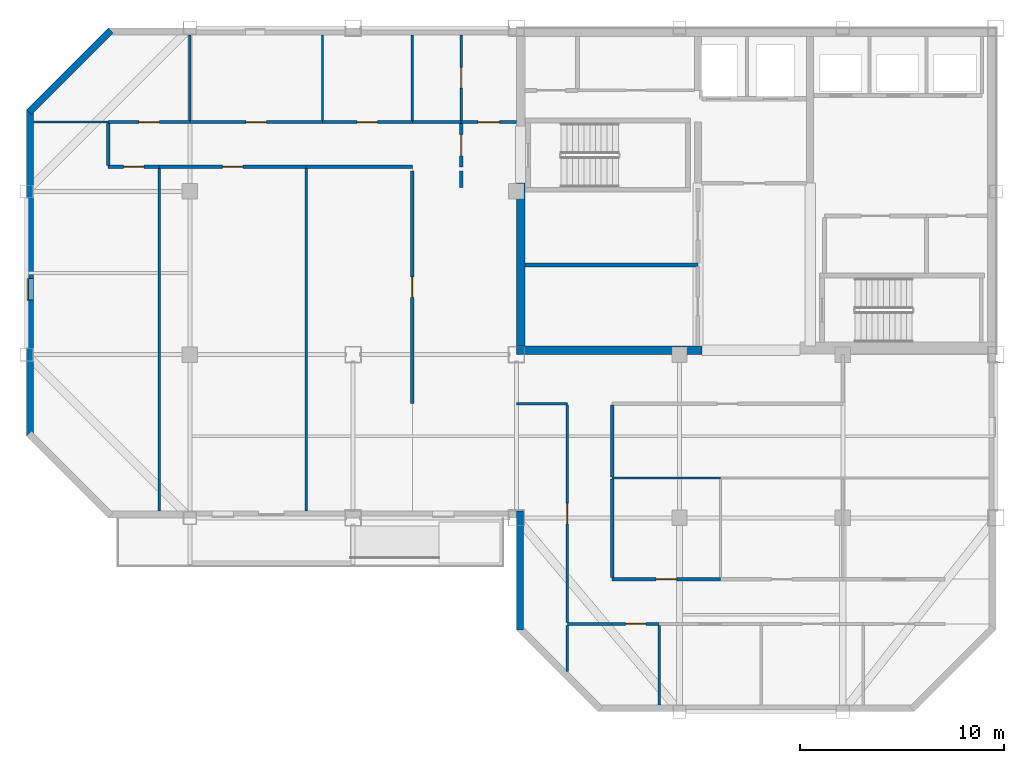
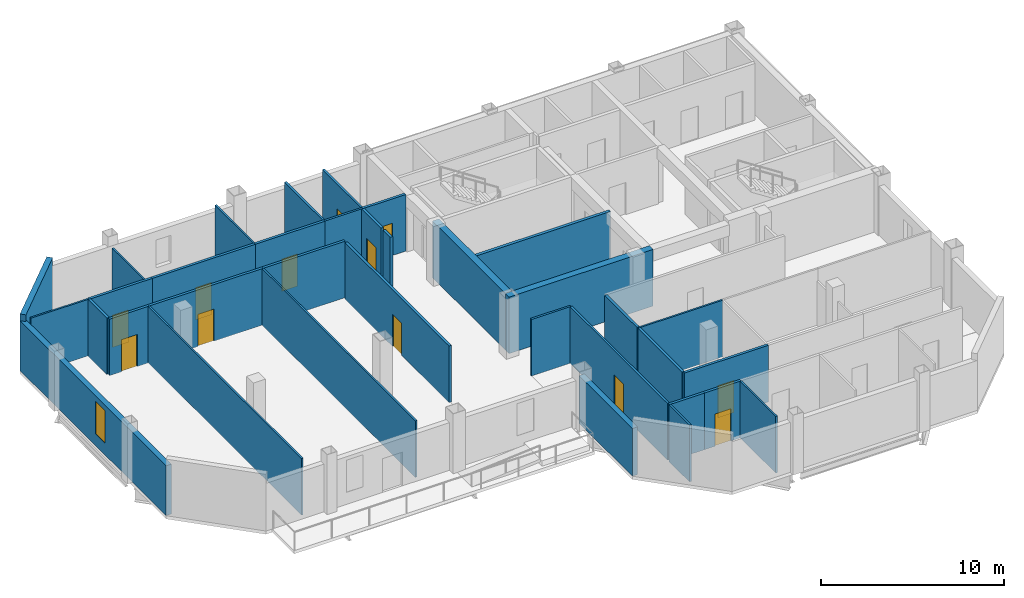
# One storey, part 2 of 7: 35 walls, 12 doors, 1 window, 13 openings.
"""IFC4 building model written with IfcOpenShell, lengths in metres."""

from ifc_helpers import new_model, si_unit, direction, frame, frame_2d, origin, place, context, subcontext, project, spatial, rectangle, extrude, material, layer, layer_set, type_object, element, fill, save


model = new_model("IFC4")

# Units and contexts
model_context = context("Model", 3, precision=1e-05, world=origin(), true_north=direction((0.0, 1.0)))
body_context = subcontext(model_context, "Body", "Model", "MODEL_VIEW")
ifc_project = project(units=[si_unit("LENGTHUNIT", "METRE"), si_unit("AREAUNIT", "SQUARE_METRE"), si_unit("VOLUMEUNIT", "CUBIC_METRE"), si_unit("PLANEANGLEUNIT", "RADIAN"), si_unit("MASSUNIT", "GRAM", prefix="KILO")], contexts=[model_context])

# Site, building, storey
site_placement = place(None, origin())
site = spatial("IfcSite", under=ifc_project, at=site_placement, CompositionType="ELEMENT")
building_placement = place(site_placement, origin())
building = spatial("IfcBuilding", under=site, at=building_placement, Name="Qianrong Seaharbour Tower", CompositionType="ELEMENT")
storey_placement = place(building_placement, frame((0.0, 0.0, 359.199951171875)))
storey = spatial("IfcBuildingStorey", under=building, at=storey_placement, Name="L87", CompositionType="ELEMENT", Elevation=359.199951171875)

# Walls
ifc_material_1 = material(Name="Concrete C50/60", Category="concrete")
ifc_layer_1 = layer(ifc_material_1, 0.419921875)
ifc_layer_set_1 = layer_set([ifc_layer_1], Name="Concrete C50/60")
wall_type_1 = type_object("IfcWallType", Name="WALL-CORE-420", PredefinedType="SHEAR", material=ifc_layer_set_1)
wall_1_placement = place(storey_placement, frame((40.7099609375, 36.419921875, 0.0), z_axis=(0.0, 0.0, 1.0), x_axis=(0.0, 1.0, 0.0)))
element("IfcWall", 1, at=wall_1_placement, inside=storey, type_object=wall_type_1, Name="L87 West Core Shear Wall South", PredefinedType="SHEAR", context=body_context, shape_type="SweptSolid", body=[
    extrude(rectangle(XDim=7.97998046875, YDim=0.419921875, at=frame_2d((3.989990234375, 0.0))), origin(), (0.0, 0.0, 1.0), 3.78515625),
])
wall_2_placement = place(storey_placement, frame((40.5, 36.2099609375, 0.0), z_axis=(0.0, 0.0, 1.0), x_axis=(1.0, 0.0, 0.0)))
element("IfcWall", 2, at=wall_2_placement, inside=storey, type_object=wall_type_1, Name="L87 South Core Shear Wall S1", PredefinedType="SHEAR", context=body_context, shape_type="SweptSolid", body=[
    extrude(rectangle(XDim=9.10009765625, YDim=0.419921875, at=frame_2d((4.550048828125, 0.0))), origin(), (0.0, 0.0, 1.0), 3.78515625),
])

# Wall, opening, door
ifc_material_2 = material(Name="Fire-rated acoustic gypsum board partition")
ifc_layer_2 = layer(ifc_material_2, 0.1650390625)
ifc_layer_set_2 = layer_set([ifc_layer_2], Name="Fire-rated acoustic gypsum board partition")
wall_type_2 = type_object("IfcWallType", Name="WALL-CORR-PART-165", PredefinedType="PARTITIONING", material=ifc_layer_set_2)
wall_3_placement = place(storey_placement, frame((37.800048828125, 47.39990234375, 0.0), z_axis=(0.0, 0.0, 1.0), x_axis=(1.0, 0.0, 0.0)))
wall_3 = element("IfcWall", 3, at=wall_3_placement, inside=storey, type_object=wall_type_2, Name="L87 Interior Partition Wall 001", PredefinedType="PARTITIONING", context=body_context, shape_type="SweptSolid", body=[
    extrude(rectangle(XDim=2.699951171875, YDim=0.1650390625, at=frame_2d((1.35009765625, 0.0))), origin(), (0.0, 0.0, 1.0), 3.78515625),
])
opening_1_placement = place(wall_3_placement, frame((0.824951171875, 0.0, 0.0)))
opening_1 = element("IfcOpeningElement", 4, at=opening_1_placement, cuts=wall_3, Name="Opening DC-01", PredefinedType="OPENING", context=body_context, shape_type="SweptSolid", body=[
    extrude(rectangle(XDim=1.050048828125, YDim=2.14990234375, at=frame_2d((0.52490234375, 1.074951171875))), frame((0.0, 0.092529296875, 0.0), z_axis=(0.0, -1.0, 0.0), x_axis=(1.0, 0.0, 0.0)), (0.0, 0.0, 1.0), 0.18505859375),
])
ifc_material_3 = material(Name="Acoustic timber and galvanized steel fire door assembly", Category="steel")
door_type_1 = type_object("IfcDoorType", Name="DOOR-CORR-FD60-1050x2150", OperationType="NOTDEFINED", PredefinedType="DOOR", material=ifc_material_3)
door_1_placement = place(opening_1_placement, origin())
door_1 = element("IfcDoor", 5, at=door_1_placement, inside=storey, type_object=door_type_1, Name="L87 Smokeproof Stair Vestibule ST-1 Door", OperationType="SINGLE_SWING_RIGHT", OverallHeight=2.14990234375, OverallWidth=1.050048828125, PredefinedType="DOOR", context=body_context, shape_type="SweptSolid", body=[
    extrude(rectangle(XDim=1.050048828125, YDim=2.14990234375, at=frame_2d((0.52490234375, 1.074951171875))), frame((0.0, 0.02490234375, 0.0), z_axis=(0.0, -1.0, 0.0), x_axis=(1.0, 0.0, 0.0)), (0.0, 0.0, 1.0), 0.050048828125),
])
fill(opening_1, door_1)

wall_4_placement = place(storey_placement, frame((37.800048828125, 45.199951171875, 0.0), z_axis=(0.0, 0.0, 1.0), x_axis=(0.0, 1.0, 0.0)))
wall_4 = element("IfcWall", 6, at=wall_4_placement, inside=storey, type_object=wall_type_2, Name="L87 Interior Partition Wall 002", PredefinedType="PARTITIONING", context=body_context, shape_type="SweptSolid", body=[
    extrude(rectangle(XDim=2.12548828125, YDim=0.1650390625, at=frame_2d((1.062744140625, 0.0))), origin(), (0.0, 0.0, 1.0), 3.78515625),
])
opening_2_placement = place(wall_4_placement, frame((0.537841796875, 0.0, 0.0)))
opening_2 = element("IfcOpeningElement", 7, at=opening_2_placement, cuts=wall_4, Name="Opening DC-01", PredefinedType="OPENING", context=body_context, shape_type="SweptSolid", body=[
    extrude(rectangle(XDim=1.050048828125, YDim=2.14990234375, at=frame_2d((0.52490234375, 1.074951171875))), frame((0.0, 0.092529296875, 0.0), z_axis=(0.0, -1.0, 0.0), x_axis=(1.0, 0.0, 0.0)), (0.0, 0.0, 1.0), 0.18505859375),
])
door_2_placement = place(opening_2_placement, origin())
door_2 = element("IfcDoor", 8, at=door_2_placement, inside=storey, type_object=door_type_1, Name="L87 Smokeproof Stair Vestibule ST-1 Door", OperationType="SINGLE_SWING_LEFT", OverallHeight=2.14990234375, OverallWidth=1.050048828125, PredefinedType="DOOR", context=body_context, shape_type="SweptSolid", body=[
    extrude(rectangle(XDim=1.050048828125, YDim=2.14990234375, at=frame_2d((0.52490234375, 1.074951171875))), frame((0.0, 0.02490234375, 0.0), z_axis=(0.0, -1.0, 0.0), x_axis=(1.0, 0.0, 0.0)), (0.0, 0.0, 1.0), 0.050048828125),
])
fill(opening_2, door_2)

# Wall
wall_5_placement = place(storey_placement, frame((37.800048828125, 44.199951171875, 0.0), z_axis=(0.0, 0.0, 1.0), x_axis=(0.0, 1.0, 0.0)))
element("IfcWall", 9, at=wall_5_placement, inside=storey, type_object=wall_type_2, Name="L87 Interior Partition Wall 003", PredefinedType="PARTITIONING", context=body_context, shape_type="SweptSolid", body=[
    extrude(rectangle(XDim=0.800048828125, YDim=0.1650390625, at=frame_2d((0.39990234375, 0.0))), origin(), (0.0, 0.0, 1.0), 3.78515625),
])

# Wall, opening, door
wall_6_placement = place(storey_placement, frame((20.5, 47.39990234375, 0.0), z_axis=(0.0, 0.0, 1.0), x_axis=(1.0, 0.0, 0.0)))
wall_6 = element("IfcWall", 10, at=wall_6_placement, inside=storey, type_object=wall_type_2, Name="L87 Interior Partition Wall 018", PredefinedType="PARTITIONING", context=body_context, shape_type="SweptSolid", body=[
    extrude(rectangle(XDim=4.0, YDim=0.1650390625, at=frame_2d((2.0, 0.0))), origin(), (0.0, 0.0, 1.0), 3.78515625),
])
opening_3_placement = place(wall_6_placement, frame((1.5, 0.0, 0.0)))
opening_3 = element("IfcOpeningElement", 11, at=opening_3_placement, cuts=wall_6, Name="Opening DO-01", PredefinedType="OPENING", context=body_context, shape_type="SweptSolid", body=[
    extrude(rectangle(XDim=1.0, YDim=2.14990234375, at=frame_2d((0.5, 1.074951171875))), frame((0.0, 0.092529296875, 0.0), z_axis=(0.0, -1.0, 0.0), x_axis=(1.0, 0.0, 0.0)), (0.0, 0.0, 1.0), 0.18505859375),
])
door_type_2 = type_object("IfcDoorType", Name="DOOR-OFFICE-1000x2150", OperationType="NOTDEFINED", PredefinedType="DOOR", material=ifc_material_3)
door_3_placement = place(opening_3_placement, origin())
door_3 = element("IfcDoor", 12, at=door_3_placement, inside=storey, type_object=door_type_2, Name="L87 Vessel Model Showroom 1 Door", OperationType="SINGLE_SWING_LEFT", OverallHeight=2.14990234375, OverallWidth=1.0, PredefinedType="DOOR", context=body_context, shape_type="SweptSolid", body=[
    extrude(rectangle(XDim=1.0, YDim=2.14990234375, at=frame_2d((0.5, 1.074951171875))), frame((0.0, 0.02490234375, 0.0), z_axis=(0.0, -1.0, 0.0), x_axis=(1.0, 0.0, 0.0)), (0.0, 0.0, 1.0), 0.050048828125),
])
fill(opening_3, door_3)

wall_7_placement = place(storey_placement, frame((24.5, 47.39990234375, 0.0), z_axis=(0.0, 0.0, 1.0), x_axis=(1.0, 0.0, 0.0)))
wall_7 = element("IfcWall", 13, at=wall_7_placement, inside=storey, type_object=wall_type_2, Name="L87 Interior Partition Wall 019", PredefinedType="PARTITIONING", context=body_context, shape_type="SweptSolid", body=[
    extrude(rectangle(XDim=6.5, YDim=0.1650390625, at=frame_2d((3.25, 0.0))), origin(), (0.0, 0.0, 1.0), 3.78515625),
])
opening_4_placement = place(wall_7_placement, frame((2.75, 0.0, 0.0)))
opening_4 = element("IfcOpeningElement", 14, at=opening_4_placement, cuts=wall_7, Name="Opening DO-01", PredefinedType="OPENING", context=body_context, shape_type="SweptSolid", body=[
    extrude(rectangle(XDim=1.0, YDim=2.14990234375, at=frame_2d((0.5, 1.074951171875))), frame((0.0, 0.092529296875, 0.0), z_axis=(0.0, -1.0, 0.0), x_axis=(1.0, 0.0, 0.0)), (0.0, 0.0, 1.0), 0.18505859375),
])
door_4_placement = place(opening_4_placement, origin())
door_4 = element("IfcDoor", 15, at=door_4_placement, inside=storey, type_object=door_type_2, Name="L87 Navigation Systems Showroom 2 Door", OperationType="SINGLE_SWING_RIGHT", OverallHeight=2.14990234375, OverallWidth=1.0, PredefinedType="DOOR", context=body_context, shape_type="SweptSolid", body=[
    extrude(rectangle(XDim=1.0, YDim=2.14990234375, at=frame_2d((0.5, 1.074951171875))), frame((0.0, 0.02490234375, 0.0), z_axis=(0.0, -1.0, 0.0), x_axis=(1.0, 0.0, 0.0)), (0.0, 0.0, 1.0), 0.050048828125),
])
fill(opening_4, door_4)

wall_8_placement = place(storey_placement, frame((31.0, 47.39990234375, 0.0), z_axis=(0.0, 0.0, 1.0), x_axis=(1.0, 0.0, 0.0)))
wall_8 = element("IfcWall", 16, at=wall_8_placement, inside=storey, type_object=wall_type_2, Name="L87 Interior Partition Wall 020", PredefinedType="PARTITIONING", context=body_context, shape_type="SweptSolid", body=[
    extrude(rectangle(XDim=4.39990234375, YDim=0.1650390625, at=frame_2d((2.199951171875, 0.0))), origin(), (0.0, 0.0, 1.0), 3.78515625),
])
opening_5_placement = place(wall_8_placement, frame((1.699951171875, 0.0, 0.0)))
opening_5 = element("IfcOpeningElement", 17, at=opening_5_placement, cuts=wall_8, Name="Opening DO-01", PredefinedType="OPENING", context=body_context, shape_type="SweptSolid", body=[
    extrude(rectangle(XDim=1.0, YDim=2.14990234375, at=frame_2d((0.5, 1.074951171875))), frame((0.0, 0.092529296875, 0.0), z_axis=(0.0, -1.0, 0.0), x_axis=(1.0, 0.0, 0.0)), (0.0, 0.0, 1.0), 0.18505859375),
])
door_5_placement = place(opening_5_placement, origin())
door_5 = element("IfcDoor", 18, at=door_5_placement, inside=storey, type_object=door_type_2, Name="L87 Marine Propulsion Showroom 3 Door", OperationType="SINGLE_SWING_LEFT", OverallHeight=2.14990234375, OverallWidth=1.0, PredefinedType="DOOR", context=body_context, shape_type="SweptSolid", body=[
    extrude(rectangle(XDim=1.0, YDim=2.14990234375, at=frame_2d((0.5, 1.074951171875))), frame((0.0, 0.02490234375, 0.0), z_axis=(0.0, -1.0, 0.0), x_axis=(1.0, 0.0, 0.0)), (0.0, 0.0, 1.0), 0.050048828125),
])
fill(opening_5, door_5)

wall_9_placement = place(storey_placement, frame((23.0, 45.199951171875, 0.0), z_axis=(0.0, 0.0, 1.0), x_axis=(-1.0, 0.0, 0.0)))
wall_9 = element("IfcWall", 19, at=wall_9_placement, inside=storey, type_object=wall_type_2, Name="L87 Interior Partition Wall 021", PredefinedType="PARTITIONING", context=body_context, shape_type="SweptSolid", body=[
    extrude(rectangle(XDim=2.5, YDim=0.1650390625, at=frame_2d((1.25, 0.0))), origin(), (0.0, 0.0, 1.0), 3.78515625),
])
opening_6_placement = place(wall_9_placement, frame((0.75, 0.0, 0.0)))
opening_6 = element("IfcOpeningElement", 20, at=opening_6_placement, cuts=wall_9, Name="Opening DO-01", PredefinedType="OPENING", context=body_context, shape_type="SweptSolid", body=[
    extrude(rectangle(XDim=1.0, YDim=2.14990234375, at=frame_2d((0.5, 1.074951171875))), frame((0.0, 0.092529296875, 0.0), z_axis=(0.0, -1.0, 0.0), x_axis=(1.0, 0.0, 0.0)), (0.0, 0.0, 1.0), 0.18505859375),
])
door_6_placement = place(opening_6_placement, origin())
door_6 = element("IfcDoor", 21, at=door_6_placement, inside=storey, type_object=door_type_2, Name="L87 Cargo Systems Showroom 1 Door", OperationType="SINGLE_SWING_RIGHT", OverallHeight=2.14990234375, OverallWidth=1.0, PredefinedType="DOOR", context=body_context, shape_type="SweptSolid", body=[
    extrude(rectangle(XDim=1.0, YDim=2.14990234375, at=frame_2d((0.5, 1.074951171875))), frame((0.0, 0.02490234375, 0.0), z_axis=(0.0, -1.0, 0.0), x_axis=(1.0, 0.0, 0.0)), (0.0, 0.0, 1.0), 0.050048828125),
])
fill(opening_6, door_6)

# Wall
wall_10_placement = place(storey_placement, frame((20.5, 45.2744140625, 0.0), z_axis=(0.0, 0.0, 1.0), x_axis=(0.0, 1.0, 0.0)))
element("IfcWall", 22, at=wall_10_placement, inside=storey, type_object=wall_type_2, Name="L87 Interior Partition Wall 022", PredefinedType="PARTITIONING", context=body_context, shape_type="SweptSolid", body=[
    extrude(rectangle(XDim=2.051025390625, YDim=0.1650390625, at=frame_2d((1.025390625, 0.0))), origin(), (0.0, 0.0, 1.0), 3.78515625),
])

# Wall, opening, door
wall_11_placement = place(storey_placement, frame((30.199951171875, 45.199951171875, 0.0), z_axis=(0.0, 0.0, 1.0), x_axis=(-1.0, 0.0, 0.0)))
wall_11 = element("IfcWall", 23, at=wall_11_placement, inside=storey, type_object=wall_type_2, Name="L87 Interior Partition Wall 023", PredefinedType="PARTITIONING", context=body_context, shape_type="SweptSolid", body=[
    extrude(rectangle(XDim=7.199951171875, YDim=0.1650390625, at=frame_2d((3.60009765625, 0.0))), origin(), (0.0, 0.0, 1.0), 3.78515625),
])
opening_7_placement = place(wall_11_placement, frame((3.10009765625, 0.0, 0.0)))
opening_7 = element("IfcOpeningElement", 24, at=opening_7_placement, cuts=wall_11, Name="Opening DO-01", PredefinedType="OPENING", context=body_context, shape_type="SweptSolid", body=[
    extrude(rectangle(XDim=1.0, YDim=2.14990234375, at=frame_2d((0.5, 1.074951171875))), frame((0.0, 0.092529296875, 0.0), z_axis=(0.0, -1.0, 0.0), x_axis=(1.0, 0.0, 0.0)), (0.0, 0.0, 1.0), 0.18505859375),
])
door_7_placement = place(opening_7_placement, origin())
door_7 = element("IfcDoor", 25, at=door_7_placement, inside=storey, type_object=door_type_2, Name="L87 Fleet Logistics Showroom 2 Door", OperationType="SINGLE_SWING_LEFT", OverallHeight=2.14990234375, OverallWidth=1.0, PredefinedType="DOOR", context=body_context, shape_type="SweptSolid", body=[
    extrude(rectangle(XDim=1.0, YDim=2.14990234375, at=frame_2d((0.5, 1.074951171875))), frame((0.0, 0.02490234375, 0.0), z_axis=(0.0, -1.0, 0.0), x_axis=(1.0, 0.0, 0.0)), (0.0, 0.0, 1.0), 0.050048828125),
])
fill(opening_7, door_7)

# Wall
wall_12_placement = place(storey_placement, frame((35.39990234375, 45.199951171875, 0.0), z_axis=(0.0, 0.0, 1.0), x_axis=(-1.0, 0.0, 0.0)))
element("IfcWall", 26, at=wall_12_placement, inside=storey, type_object=wall_type_2, Name="L87 Interior Partition Wall 024", PredefinedType="PARTITIONING", context=body_context, shape_type="SweptSolid", body=[
    extrude(rectangle(XDim=5.199951171875, YDim=0.1650390625, at=frame_2d((2.60009765625, 0.0))), origin(), (0.0, 0.0, 1.0), 3.78515625),
])

# Wall, opening, door
wall_13_placement = place(storey_placement, frame((35.39990234375, 33.60009765625, 0.0), z_axis=(0.0, 0.0, 1.0), x_axis=(0.0, 1.0, 0.0)))
wall_13 = element("IfcWall", 27, at=wall_13_placement, inside=storey, type_object=wall_type_2, Name="L87 Interior Partition Wall 025", PredefinedType="PARTITIONING", context=body_context, shape_type="SweptSolid", body=[
    extrude(rectangle(XDim=11.39990234375, YDim=0.1650390625, at=frame_2d((5.699951171875, 0.0))), origin(), (0.0, 0.0, 1.0), 3.78515625),
])
opening_8_placement = place(wall_13_placement, frame((5.199951171875, 0.0, 0.0)))
opening_8 = element("IfcOpeningElement", 28, at=opening_8_placement, cuts=wall_13, Name="Opening DO-01", PredefinedType="OPENING", context=body_context, shape_type="SweptSolid", body=[
    extrude(rectangle(XDim=1.0, YDim=2.14990234375, at=frame_2d((0.5, 1.074951171875))), frame((0.0, 0.092529296875, 0.0), z_axis=(0.0, -1.0, 0.0), x_axis=(1.0, 0.0, 0.0)), (0.0, 0.0, 1.0), 0.18505859375),
])
door_8_placement = place(opening_8_placement, origin())
door_8 = element("IfcDoor", 29, at=door_8_placement, inside=storey, type_object=door_type_2, Name="L87 VIP Client Lounge 3 Door", OperationType="SINGLE_SWING_RIGHT", OverallHeight=2.14990234375, OverallWidth=1.0, PredefinedType="DOOR", context=body_context, shape_type="SweptSolid", body=[
    extrude(rectangle(XDim=1.0, YDim=2.14990234375, at=frame_2d((0.5, 1.074951171875))), frame((0.0, 0.02490234375, 0.0), z_axis=(0.0, -1.0, 0.0), x_axis=(1.0, 0.0, 0.0)), (0.0, 0.0, 1.0), 0.050048828125),
])
fill(opening_8, door_8)

# Walls
wall_14_placement = place(storey_placement, frame((45.199951171875, 33.525390625, 0.0), z_axis=(0.0, 0.0, 1.0), x_axis=(0.0, -1.0, 0.0)))
element("IfcWall", 30, at=wall_14_placement, inside=storey, type_object=wall_type_2, Name="L87 Interior Partition Wall 029", PredefinedType="PARTITIONING", context=body_context, shape_type="SweptSolid", body=[
    extrude(rectangle(XDim=3.5283203125, YDim=0.1650390625, at=frame_2d((1.76416015625, 0.0))), origin(), (0.0, 0.0, 1.0), 3.78515625),
])
wall_15_placement = place(storey_placement, frame((45.199951171875, 29.903076171875, 0.0), z_axis=(0.0, 0.0, 1.0), x_axis=(0.0, -1.0, 0.0)))
element("IfcWall", 31, at=wall_15_placement, inside=storey, type_object=wall_type_2, Name="L87 Interior Partition Wall 030", PredefinedType="PARTITIONING", context=body_context, shape_type="SweptSolid", body=[
    extrude(rectangle(XDim=4.82861328125, YDim=0.1650390625, at=frame_2d((2.414306640625, 0.0))), origin(), (0.0, 0.0, 1.0), 3.78515625),
])
wall_16_placement = place(storey_placement, frame((45.199951171875, 22.800048828125, 0.0), z_axis=(0.0, 0.0, 1.0), x_axis=(-1.0, 0.0, 0.0)))
element("IfcWall", 32, at=wall_16_placement, inside=storey, type_object=wall_type_2, Name="L87 Interior Partition Wall 032", PredefinedType="PARTITIONING", context=body_context, shape_type="SweptSolid", body=[
    extrude(rectangle(XDim=2.199951171875, YDim=0.1650390625, at=frame_2d((1.10009765625, 0.0))), origin(), (0.0, 0.0, 1.0), 3.78515625),
])

# Wall, opening, door
wall_17_placement = place(storey_placement, frame((45.199951171875, 25.0, 0.0), z_axis=(0.0, 0.0, 1.0), x_axis=(1.0, 0.0, 0.0)))
wall_17 = element("IfcWall", 33, at=wall_17_placement, inside=storey, type_object=wall_type_2, Name="L87 Interior Partition Wall 033", PredefinedType="PARTITIONING", context=body_context, shape_type="SweptSolid", body=[
    extrude(rectangle(XDim=5.300048828125, YDim=0.1650390625, at=frame_2d((2.64990234375, 0.0))), origin(), (0.0, 0.0, 1.0), 3.78515625),
])
opening_9_placement = place(wall_17_placement, frame((2.14990234375, 0.0, 0.0)))
opening_9 = element("IfcOpeningElement", 34, at=opening_9_placement, cuts=wall_17, Name="Opening DO-01", PredefinedType="OPENING", context=body_context, shape_type="SweptSolid", body=[
    extrude(rectangle(XDim=1.0, YDim=2.14990234375, at=frame_2d((0.5, 1.074951171875))), frame((0.0, 0.092529296875, 0.0), z_axis=(0.0, -1.0, 0.0), x_axis=(1.0, 0.0, 0.0)), (0.0, 0.0, 1.0), 0.18505859375),
])
door_9_placement = place(opening_9_placement, origin())
door_9 = element("IfcDoor", 35, at=door_9_placement, inside=storey, type_object=door_type_2, Name="L87 Chartering Model Showroom 1 Door", OperationType="SINGLE_SWING_RIGHT", OverallHeight=2.14990234375, OverallWidth=1.0, PredefinedType="DOOR", context=body_context, shape_type="SweptSolid", body=[
    extrude(rectangle(XDim=1.0, YDim=2.14990234375, at=frame_2d((0.5, 1.074951171875))), frame((0.0, 0.02490234375, 0.0), z_axis=(0.0, -1.0, 0.0), x_axis=(1.0, 0.0, 0.0)), (0.0, 0.0, 1.0), 0.050048828125),
])
fill(opening_9, door_9)

wall_18_placement = place(storey_placement, frame((47.5, 22.800048828125, 0.0), z_axis=(0.0, 0.0, 1.0), x_axis=(-1.0, 0.0, 0.0)))
wall_18 = element("IfcWall", 36, at=wall_18_placement, inside=storey, type_object=wall_type_2, Name="L87 Interior Partition Wall 036", PredefinedType="PARTITIONING", context=body_context, shape_type="SweptSolid", body=[
    extrude(rectangle(XDim=2.300048828125, YDim=0.1650390625, at=frame_2d((1.14990234375, 0.0))), origin(), (0.0, 0.0, 1.0), 3.78515625),
])
opening_10_placement = place(wall_18_placement, frame((0.64990234375, 0.0, 0.0)))
opening_10 = element("IfcOpeningElement", 37, at=opening_10_placement, cuts=wall_18, Name="Opening DO-01", PredefinedType="OPENING", context=body_context, shape_type="SweptSolid", body=[
    extrude(rectangle(XDim=1.0, YDim=2.14990234375, at=frame_2d((0.5, 1.074951171875))), frame((0.0, 0.092529296875, 0.0), z_axis=(0.0, -1.0, 0.0), x_axis=(1.0, 0.0, 0.0)), (0.0, 0.0, 1.0), 0.18505859375),
])
door_10_placement = place(opening_10_placement, origin())
door_10 = element("IfcDoor", 38, at=door_10_placement, inside=storey, type_object=door_type_2, Name="L87 Harbour Trade Lounge 1 Door", OperationType="SINGLE_SWING_RIGHT", OverallHeight=2.14990234375, OverallWidth=1.0, PredefinedType="DOOR", context=body_context, shape_type="SweptSolid", body=[
    extrude(rectangle(XDim=1.0, YDim=2.14990234375, at=frame_2d((0.5, 1.074951171875))), frame((0.0, 0.02490234375, 0.0), z_axis=(0.0, -1.0, 0.0), x_axis=(1.0, 0.0, 0.0)), (0.0, 0.0, 1.0), 0.050048828125),
])
fill(opening_10, door_10)

# Walls
ifc_material_4 = material(Name="Demountable aluminium-framed acoustic office partition", Category="aluminium")
ifc_layer_3 = layer(ifc_material_4, 0.110107421875)
ifc_layer_set_3 = layer_set([ifc_layer_3], Name="Demountable aluminium-framed acoustic office partition")
wall_type_3 = type_object("IfcWallType", Name="WALL-DEMOUNT-110", PredefinedType="MOVABLE", material=ifc_layer_set_3)
wall_19_placement = place(storey_placement, frame((50.5, 29.949951171875, 0.0), z_axis=(0.0, 0.0, 1.0), x_axis=(-1.0, 0.0, 0.0)))
element("IfcWall", 39, at=wall_19_placement, inside=storey, type_object=wall_type_3, Name="L87 Interior Partition Wall 040", PredefinedType="MOVABLE", context=body_context, shape_type="SweptSolid", body=[
    extrude(rectangle(XDim=5.300048828125, YDim=0.110107421875, at=frame_2d((2.64990234375, 0.0))), origin(), (0.0, 0.0, 1.0), 3.78515625),
])
wall_20_placement = place(storey_placement, frame((24.5, 51.66796875, 0.0), z_axis=(0.0, 0.0, 1.0), x_axis=(0.0, -1.0, 0.0)))
element("IfcWall", 40, at=wall_20_placement, inside=storey, type_object=wall_type_3, Name="L87 Interior Partition Wall 045", PredefinedType="MOVABLE", context=body_context, shape_type="SweptSolid", body=[
    extrude(rectangle(XDim=4.193359375, YDim=0.110107421875, at=frame_2d((2.0966796875, 0.0))), origin(), (0.0, 0.0, 1.0), 3.177001953125),
])
wall_21_placement = place(storey_placement, frame((20.5, 47.39990234375, 0.0), z_axis=(0.0, 0.0, 1.0), x_axis=(-1.0, 0.0, 0.0)))
element("IfcWall", 41, at=wall_21_placement, inside=storey, type_object=wall_type_3, Name="L87 Interior Partition Wall 046", PredefinedType="MOVABLE", context=body_context, shape_type="SweptSolid", body=[
    extrude(rectangle(XDim=3.66796875, YDim=0.110107421875, at=frame_2d((1.833984375, 0.0))), origin(), (0.0, 0.0, 1.0), 3.78515625),
])
wall_22_placement = place(storey_placement, frame((31.0, 51.66796875, 0.0), z_axis=(0.0, 0.0, 1.0), x_axis=(0.0, -1.0, 0.0)))
element("IfcWall", 42, at=wall_22_placement, inside=storey, type_object=wall_type_3, Name="L87 Interior Partition Wall 047", PredefinedType="MOVABLE", context=body_context, shape_type="SweptSolid", body=[
    extrude(rectangle(XDim=4.193359375, YDim=0.110107421875, at=frame_2d((2.0966796875, 0.0))), origin(), (0.0, 0.0, 1.0), 3.78515625),
])
for number, where, z_axis, x_axis, name in (
    (43, (23.0, 45.12548828125, 0.0), (0.0, 0.0, 1.0), (0.0, -1.0, 0.0), "L87 Interior Partition Wall 048"),
    (44, (30.199951171875, 45.12548828125, 0.0), (0.0, 0.0, 1.0), (0.0, -1.0, 0.0), "L87 Interior Partition Wall 049"),
):
    element("IfcWall", number, at=place(storey_placement, frame(where, z_axis=z_axis, x_axis=x_axis)), inside=storey, type_object=wall_type_3, Name=name, PredefinedType="MOVABLE", context=body_context, shape_type="SweptSolid", body=[
        extrude(rectangle(XDim=16.79345703125, YDim=0.110107421875, at=frame_2d((8.396728515625, 0.0))), origin(), (0.0, 0.0, 1.0), 3.78515625),
    ])
wall_23_placement = place(storey_placement, frame((47.5, 22.7255859375, 0.0), z_axis=(0.0, 0.0, 1.0), x_axis=(0.0, -1.0, 0.0)))
element("IfcWall", 45, at=wall_23_placement, inside=storey, type_object=wall_type_3, Name="L87 Interior Partition Wall 051", PredefinedType="MOVABLE", context=body_context, shape_type="SweptSolid", body=[
    extrude(rectangle(XDim=3.8935546875, YDim=0.110107421875, at=frame_2d((1.94677734375, 0.0))), origin(), (0.0, 0.0, 1.0), 3.78515625),
])
ifc_material_5 = material(Name="Unitised buff brick on Precast concrete C45/55", Category="masonry")
ifc_layer_4 = layer(ifc_material_5, 0.340087890625)
ifc_layer_set_4 = layer_set([ifc_layer_4], Name="Unitised buff brick on Precast concrete C45/55")
wall_type_4 = type_object("IfcWallType", Name="WALL-EXT-BRICK-BUFF-340", PredefinedType="SOLIDWALL", material=ifc_layer_set_4)
wall_24_placement = place(storey_placement, frame((40.669921875, 22.5, 0.0), z_axis=(0.0, 0.0, 1.0), x_axis=(0.0, 1.0, 0.0)))
element("IfcWall", 46, at=wall_24_placement, inside=storey, type_object=wall_type_4, Name="L87 Exterior Masonry Facade Wall REENTRANT_WEST", PredefinedType="SOLIDWALL", context=body_context, shape_type="SweptSolid", body=[
    extrude(rectangle(XDim=5.840087890625, YDim=0.340087890625, at=frame_2d((2.919921875, 0.0))), origin(), (0.0, 0.0, 1.0), 3.18505859375),
])

# Wall, opening, window
wall_25_placement = place(storey_placement, frame((16.669921875, 32.0, 0.0), z_axis=(0.0, 0.0, 1.0), x_axis=(0.0, 1.0, 0.0)))
wall_25 = element("IfcWall", 47, at=wall_25_placement, inside=storey, type_object=wall_type_4, Name="L87 Exterior Masonry Facade Wall WEST_TIP", PredefinedType="SOLIDWALL", context=body_context, shape_type="SweptSolid", body=[
    extrude(rectangle(XDim=16.0, YDim=0.340087890625, at=frame_2d((8.0, 0.0))), origin(), (0.0, 0.0, 1.0), 3.3349609375),
])
opening_11_placement = place(wall_25_placement, frame((6.675048828125, 0.0, 0.800048828125)))
opening_11 = element("IfcOpeningElement", 48, at=opening_11_placement, cuts=wall_25, Name="Opening WN-14", PredefinedType="OPENING", context=body_context, shape_type="SweptSolid", body=[
    extrude(rectangle(XDim=1.050048828125, YDim=2.14990234375, at=frame_2d((0.52490234375, 1.074951171875))), frame((0.0, 0.18017578125, 0.0), z_axis=(0.0, -1.0, 0.0), x_axis=(1.0, 0.0, 0.0)), (0.0, 0.0, 1.0), 0.360107421875),
])
ifc_material_6 = material(Name="Insulated low-e double glazing in thermally broken aluminium 6063-T6 frame", Category="aluminium")
window_type = type_object("IfcWindowType", Name="WIN-NARROW-1050x2150", PartitioningType="SINGLE_PANEL", PredefinedType="WINDOW", material=ifc_material_6)
window_placement = place(opening_11_placement, origin())
window = element("IfcWindow", 49, at=window_placement, inside=storey, type_object=window_type, Name="L87 Deep-Set Punched Window 03.02", OverallHeight=2.14990234375, OverallWidth=1.050048828125, PartitioningType="SINGLE_PANEL", PredefinedType="WINDOW", context=body_context, shape_type="SweptSolid", body=[
    extrude(rectangle(XDim=1.050048828125, YDim=2.14990234375, at=frame_2d((0.52490234375, 1.074951171875))), frame((0.0, 0.150146484375, 0.0), z_axis=(0.0, -1.0, 0.0), x_axis=(1.0, 0.0, 0.0)), (0.0, 0.0, 1.0), 0.06005859375),
])
fill(opening_11, window)

# Walls
wall_26_placement = place(storey_placement, frame((16.6201171875, 47.8798828125, 0.0), z_axis=(0.0, 0.0, 1.0), x_axis=(0.707106781187, 0.707106781187, 0.0)))
element("IfcWall", 50, at=wall_26_placement, inside=storey, type_object=wall_type_4, Name="L87 Exterior Masonry Facade Wall E04", PredefinedType="SOLIDWALL", context=body_context, shape_type="SweptSolid", body=[
    extrude(rectangle(XDim=5.65673828125, YDim=0.340087890625, at=frame_2d((2.828369140625, 0.0))), origin(), (0.0, 0.0, 1.0), 3.78515625),
])
ifc_material_7 = material(Name="Double fire-rated gypsum board acoustic partition")
ifc_layer_5 = layer(ifc_material_7, 0.18994140625)
ifc_layer_set_5 = layer_set([ifc_layer_5], Name="Double fire-rated gypsum board acoustic partition")
wall_type_5 = type_object("IfcWallType", Name="WALL-FIRE-PART-190", PredefinedType="PARTITIONING", material=ifc_layer_set_5)
wall_27_placement = place(storey_placement, frame((40.919921875, 40.39990234375, 0.0), z_axis=(0.0, 0.0, 1.0), x_axis=(1.0, 0.0, 0.0)))
element("IfcWall", 51, at=wall_27_placement, inside=storey, type_object=wall_type_5, Name="L87 Interior Partition Wall 013", PredefinedType="PARTITIONING", context=body_context, shape_type="SweptSolid", body=[
    extrude(rectangle(XDim=8.47998046875, YDim=0.18994140625, at=frame_2d((4.239990234375, 0.0))), origin(), (0.0, 0.0, 1.0), 3.78515625),
])

# Wall, opening, door
ifc_material_8 = material(Name="Water-resistant cement board sanitary partition")
ifc_layer_6 = layer(ifc_material_8, 0.1298828125)
ifc_layer_set_6 = layer_set([ifc_layer_6], Name="Water-resistant cement board sanitary partition")
wall_type_6 = type_object("IfcWallType", Name="WALL-WET-PART-130", PredefinedType="PARTITIONING", material=ifc_layer_set_6)
wall_28_placement = place(storey_placement, frame((37.800048828125, 47.474609375, 0.0), z_axis=(0.0, 0.0, 1.0), x_axis=(0.0, 1.0, 0.0)))
wall_28 = element("IfcWall", 52, at=wall_28_placement, inside=storey, type_object=wall_type_6, Name="L87 Interior Partition Wall 004", PredefinedType="PARTITIONING", context=body_context, shape_type="SweptSolid", body=[
    extrude(rectangle(XDim=4.193359375, YDim=0.1298828125, at=frame_2d((2.0966796875, 0.0))), origin(), (0.0, 0.0, 1.0), 3.78515625),
])
opening_12_placement = place(wall_28_placement, frame((1.5869140625, 0.0, 0.0)))
opening_12 = element("IfcOpeningElement", 53, at=opening_12_placement, cuts=wall_28, Name="Opening DAW-01", PredefinedType="OPENING", context=body_context, shape_type="SweptSolid", body=[
    extrude(rectangle(XDim=1.02001953125, YDim=2.14990234375, at=frame_2d((0.510009765625, 1.074951171875))), frame((0.0, 0.074951171875, 0.0), z_axis=(0.0, -1.0, 0.0), x_axis=(1.0, 0.0, 0.0)), (0.0, 0.0, 1.0), 0.14990234375),
])
door_type_3 = type_object("IfcDoorType", Name="DOOR-AWC-SLIDE-1020x2150", OperationType="SLIDING_TO_LEFT", PredefinedType="DOOR", material=ifc_material_3)
door_11_placement = place(opening_12_placement, origin())
door_11 = element("IfcDoor", 54, at=door_11_placement, inside=storey, type_object=door_type_3, Name="L87 Accessible Restroom WC Door", OperationType="SLIDING_TO_LEFT", OverallHeight=2.14990234375, OverallWidth=1.02001953125, PredefinedType="DOOR", context=body_context, shape_type="SweptSolid", body=[
    extrude(rectangle(XDim=1.02001953125, YDim=2.14990234375, at=frame_2d((0.510009765625, 1.074951171875))), frame((0.0, 0.02490234375, 0.0), z_axis=(0.0, -1.0, 0.0), x_axis=(1.0, 0.0, 0.0)), (0.0, 0.0, 1.0), 0.050048828125),
])
fill(opening_12, door_11)

# Walls
wall_29_placement = place(storey_placement, frame((37.800048828125, 47.39990234375, 0.0), z_axis=(0.0, 0.0, 1.0), x_axis=(-1.0, 0.0, 0.0)))
element("IfcWall", 55, at=wall_29_placement, inside=storey, type_object=wall_type_6, Name="L87 Interior Partition Wall 005", PredefinedType="PARTITIONING", context=body_context, shape_type="SweptSolid", body=[
    extrude(rectangle(XDim=2.400146484375, YDim=0.1298828125, at=frame_2d((1.2001953125, 0.0))), origin(), (0.0, 0.0, 1.0), 3.78515625),
])
wall_30_placement = place(storey_placement, frame((35.39990234375, 47.474609375, 0.0), z_axis=(0.0, 0.0, 1.0), x_axis=(0.0, 1.0, 0.0)))
element("IfcWall", 56, at=wall_30_placement, inside=storey, type_object=wall_type_6, Name="L87 Interior Partition Wall 006", PredefinedType="PARTITIONING", context=body_context, shape_type="SweptSolid", body=[
    extrude(rectangle(XDim=4.193359375, YDim=0.1298828125, at=frame_2d((2.0966796875, 0.0))), origin(), (0.0, 0.0, 1.0), 3.78515625),
])
wall_31_placement = place(storey_placement, frame((43.0, 33.60009765625, 0.0), z_axis=(0.0, 0.0, 1.0), x_axis=(-1.0, 0.0, 0.0)))
element("IfcWall", 57, at=wall_31_placement, inside=storey, type_object=wall_type_6, Name="L87 Interior Partition Wall 028", PredefinedType="PARTITIONING", context=body_context, shape_type="SweptSolid", body=[
    extrude(rectangle(XDim=2.5, YDim=0.1298828125, at=frame_2d((1.25, 0.0))), origin(), (0.0, 0.0, 1.0), 3.78515625),
])

# Wall, opening, door
wall_32_placement = place(storey_placement, frame((43.0, 22.87451171875, 0.0), z_axis=(0.0, 0.0, 1.0), x_axis=(0.0, 1.0, 0.0)))
wall_32 = element("IfcWall", 58, at=wall_32_placement, inside=storey, type_object=wall_type_6, Name="L87 Interior Partition Wall 031", PredefinedType="PARTITIONING", context=body_context, shape_type="SweptSolid", body=[
    extrude(rectangle(XDim=10.66845703125, YDim=0.1298828125, at=frame_2d((5.334228515625, 0.0))), origin(), (0.0, 0.0, 1.0), 3.78515625),
])
opening_13_placement = place(wall_32_placement, frame((4.834228515625, 0.0, 0.0)))
opening_13 = element("IfcOpeningElement", 59, at=opening_13_placement, cuts=wall_32, Name="Opening DO-01", PredefinedType="OPENING", context=body_context, shape_type="SweptSolid", body=[
    extrude(rectangle(XDim=1.0, YDim=2.14990234375, at=frame_2d((0.5, 1.074951171875))), frame((0.0, 0.074951171875, 0.0), z_axis=(0.0, -1.0, 0.0), x_axis=(1.0, 0.0, 0.0)), (0.0, 0.0, 1.0), 0.14990234375),
])
door_12_placement = place(opening_13_placement, origin())
door_12 = element("IfcDoor", 60, at=door_12_placement, inside=storey, type_object=door_type_2, Name="L87 Wet Pantry 1 Door", OperationType="SINGLE_SWING_LEFT", OverallHeight=2.14990234375, OverallWidth=1.0, PredefinedType="DOOR", context=body_context, shape_type="SweptSolid", body=[
    extrude(rectangle(XDim=1.0, YDim=2.14990234375, at=frame_2d((0.5, 1.074951171875))), frame((0.0, 0.02490234375, 0.0), z_axis=(0.0, -1.0, 0.0), x_axis=(1.0, 0.0, 0.0)), (0.0, 0.0, 1.0), 0.050048828125),
])
fill(opening_13, door_12)

# Wall
wall_33_placement = place(storey_placement, frame((43.0, 22.7255859375, 0.0), z_axis=(0.0, 0.0, 1.0), x_axis=(0.0, -1.0, 0.0)))
element("IfcWall", 61, at=wall_33_placement, inside=storey, type_object=wall_type_6, Name="L87 Interior Partition Wall 050", PredefinedType="PARTITIONING", context=body_context, shape_type="SweptSolid", body=[
    extrude(rectangle(XDim=2.256103515625, YDim=0.1298828125, at=frame_2d((1.1279296875, 0.0))), origin(), (0.0, 0.0, 1.0), 3.78515625),
])

save(model, "model.ifc")
